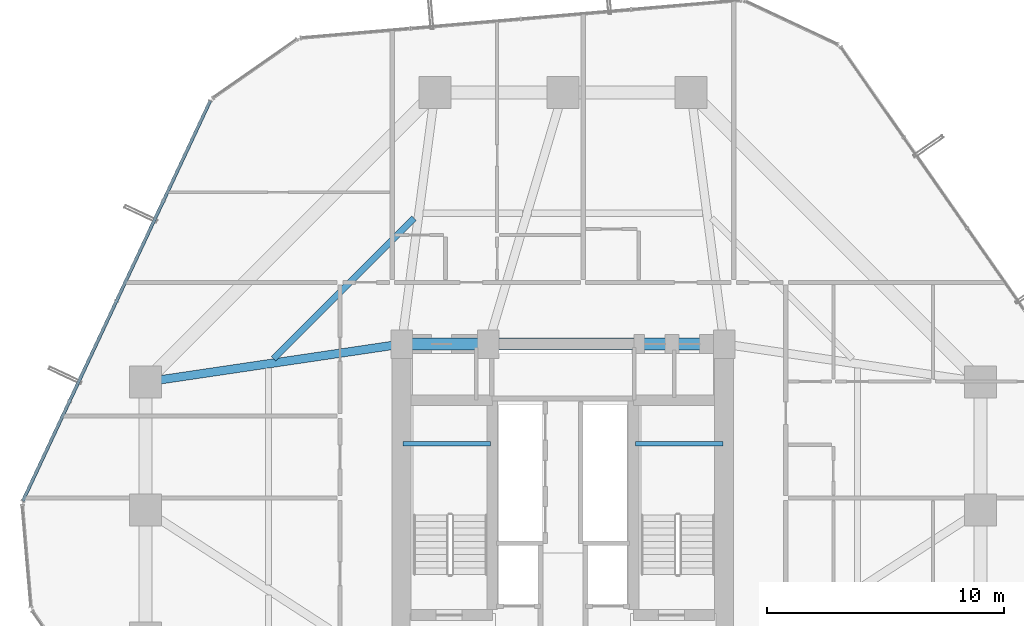
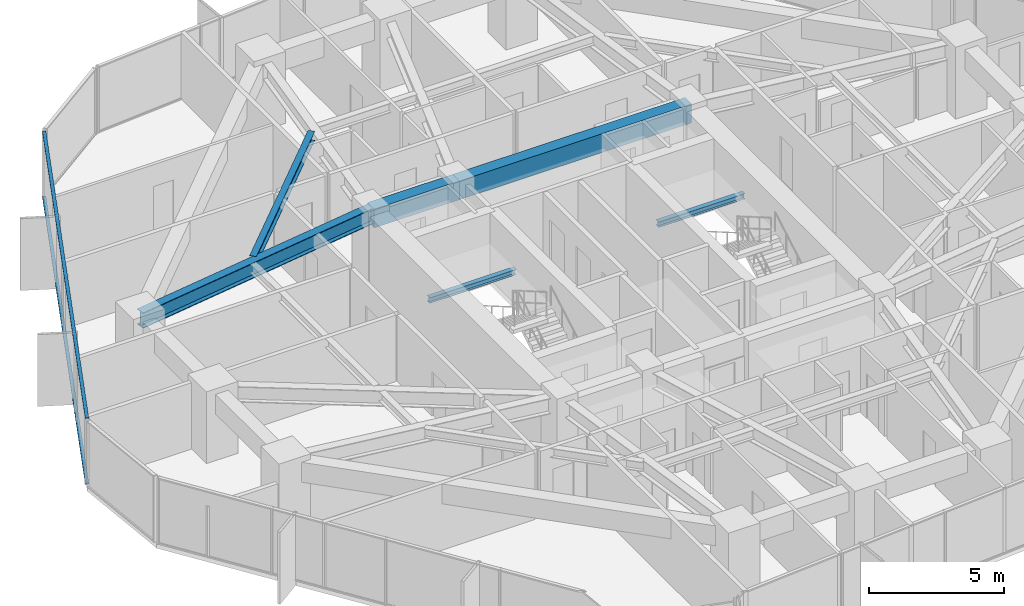
# One storey, part 13 of 37: 6 beams, 2 members, 1 element without a shape of its own.
"""IFC4 building model written with IfcOpenShell, lengths in metres."""

from ifc_helpers import new_model, si_unit, direction, frame, origin, origin_2d, place, context, subcontext, project, spatial, rectangle, hollow_rectangle, i_section, extrude, source, transform, mapped, material, layer, layer_set, material_profile, profile_set, type_object, element, aggregate, save


model = new_model("IFC4")

# Units and contexts
model_context = context("Model", 3, precision=1e-05, world=origin(), true_north=direction((0.0, 1.0)))
body_context = subcontext(model_context, "Body", "Model", "MODEL_VIEW")
ifc_project = project(units=[si_unit("LENGTHUNIT", "METRE"), si_unit("AREAUNIT", "SQUARE_METRE"), si_unit("VOLUMEUNIT", "CUBIC_METRE"), si_unit("PLANEANGLEUNIT", "RADIAN"), si_unit("MASSUNIT", "GRAM", prefix="KILO")], contexts=[model_context])

# Site, building, storey
site_placement = place(None, origin())
site = spatial("IfcSite", under=ifc_project, at=site_placement, CompositionType="ELEMENT")
building_placement = place(site_placement, origin())
building = spatial("IfcBuilding", under=site, at=building_placement, Name="Veraguas Prism Commons", CompositionType="ELEMENT")
storey_placement = place(building_placement, frame((0.0, 0.0, 40.300048828125)))
storey = spatial("IfcBuildingStorey", under=building, at=storey_placement, Name="L10", CompositionType="ELEMENT", Elevation=40.300048828125)

# Beams
ifc_material_1 = material(Name="Concrete C50/60", Category="concrete")
ifc_material_profile_1 = material_profile(ifc_material_1, rectangle(XDim=0.5, YDim=0.85009765625, at=origin_2d()), Name="RC500X850")
ifc_profile_set_1 = profile_set([ifc_material_profile_1], Name="Concrete C50/60")
beam_type_1 = type_object("IfcBeamType", Name="Core Coupling Beam RC 500x850", PredefinedType="BEAM", material=ifc_profile_set_1)
beam_1_placement = place(storey_placement, frame((17.199951171875, 31.0, 2.574951171875), z_axis=(1.0, 0.0, 0.0), x_axis=(0.0, 1.0, 0.0)))
element("IfcBeam", 1, at=beam_1_placement, inside=storey, type_object=beam_type_1, Name="Core Coupling Beam L10-CRN1", PredefinedType="BEAM", context=body_context, shape_type="SweptSolid", body=[
    extrude(rectangle(XDim=0.5, YDim=0.85009765625, at=origin_2d()), origin(), (0.0, 0.0, 1.0), 3.650146484375),
])
beam_2_placement = place(storey_placement, frame((20.85009765625, 31.0, 2.574951171875), z_axis=(1.0, 0.0, 0.0), x_axis=(0.0, 1.0, 0.0)))
element("IfcBeam", 2, at=beam_2_placement, inside=storey, type_object=beam_type_1, Name="Core Coupling Beam L10-CRN2", PredefinedType="BEAM", context=body_context, shape_type="SweptSolid", body=[
    extrude(rectangle(XDim=0.5, YDim=0.85009765625, at=origin_2d()), origin(), (0.0, 0.0, 1.0), 9.949951171875),
])
ifc_material_2 = material(Name="Steel ASTM A992 Grade 50", Category="steel")
ifc_material_profile_2 = material_profile(ifc_material_2, i_section(OverallWidth=0.260986328125, OverallDepth=0.419921875, WebThickness=0.01171875, FlangeThickness=0.019287109375, at=origin_2d()), Name="W410X114")
ifc_profile_set_2 = profile_set([ifc_material_profile_2], Name="Steel ASTM A992 Grade 50")
beam_type_2 = type_object("IfcBeamType", Name="Lower Floor Joist W410x114", PredefinedType="JOIST", material=ifc_profile_set_2)
beam_3_placement = place(storey_placement, frame((17.723388671875, 36.3076171875, 2.7900390625), z_axis=(-0.707092226423, -0.70712133565, 0.0), x_axis=(0.70712133565, -0.707092226423, 0.0)))
element("IfcBeam", 3, at=beam_3_placement, inside=storey, type_object=beam_type_2, Name="Composite Floor Joist L10-JS06", PredefinedType="JOIST", context=body_context, shape_type="SweptSolid", body=[
    extrude(i_section(OverallWidth=0.260986328125, OverallDepth=0.419921875, WebThickness=0.01171875, FlangeThickness=0.019287109375, at=origin_2d()), origin(), (0.0, 0.0, 1.0), 8.386962890625),
])
ifc_material_profile_3 = material_profile(ifc_material_2, i_section(OverallWidth=0.202880859375, OverallDepth=0.251953125, WebThickness=0.008056640625, FlangeThickness=0.013427734375, at=origin_2d()), Name="W250X58")
ifc_profile_set_3 = profile_set([ifc_material_profile_3], Name="Steel ASTM A992 Grade 50")
beam_type_3 = type_object("IfcBeamType", Name="Structural Opening Lintel W250x58", PredefinedType="LINTEL", material=ifc_profile_set_3)
for number, where, z_axis, x_axis, name in (
    (4, (17.25, 26.800048828125, 1.299072265625), (1.0, 0.0, 0.0), (0.0, 1.0, 0.0), "Stair ST-01 Half-Landing Support Beam L10-1"),
    (5, (27.050048828125, 26.800048828125, 1.299072265625), (1.0, 0.0, 0.0), (0.0, 1.0, 0.0), "Stair ST-02 Half-Landing Support Beam L10-1"),
):
    element("IfcBeam", number, at=place(storey_placement, frame(where, z_axis=z_axis, x_axis=x_axis)), inside=storey, type_object=beam_type_3, Name=name, PredefinedType="LINTEL", context=body_context, shape_type="SweptSolid", body=[
        extrude(i_section(OverallWidth=0.202880859375, OverallDepth=0.251953125, WebThickness=0.008056640625, FlangeThickness=0.013427734375, at=origin_2d()), origin(), (0.0, 0.0, 1.0), 3.699951171875),
    ])
ifc_material_profile_4 = material_profile(ifc_material_2, i_section(OverallWidth=0.35595703125, OverallDepth=0.700927734375, WebThickness=0.016845703125, FlangeThickness=0.02734375, at=origin_2d()), Name="W690X240")
ifc_profile_set_4 = profile_set([ifc_material_profile_4], Name="Steel ASTM A992 Grade 50")
beam_type_4 = type_object("IfcBeamType", Name="Zone 1 Radial Girder W690x240", PredefinedType="BEAM", material=ifc_profile_set_4)
beam_4_placement = place(storey_placement, frame((6.39990234375, 29.39990234375, 2.6494140625), z_axis=(0.989202261707, 0.146556765224, 0.0), x_axis=(-0.146556765224, 0.989202261707, 0.0)))
element("IfcBeam", 6, at=beam_4_placement, inside=storey, type_object=beam_type_4, Name="Radial Floor Girder L10-RD07", PredefinedType="BEAM", context=body_context, shape_type="SweptSolid", body=[
    extrude(i_section(OverallWidth=0.35595703125, OverallDepth=0.700927734375, WebThickness=0.016845703125, FlangeThickness=0.02734375, at=origin_2d()), origin(), (0.0, 0.0, 1.0), 10.91796875),
])

# Curtain wall, members
ifc_material_3 = material(Name="Anodised aluminium EN AW-6063 T6", Category="aluminium")
ifc_layer = layer(ifc_material_3, 0.169921875, Name="Unitised Flush Curtain Wall Zone 1", Category="aluminium")
ifc_layer_set = layer_set([ifc_layer], Name="Anodised aluminium EN AW-6063 T6")
curtain_wall_type = type_object("IfcCurtainWallType", Name="Unitised Flush Curtain Wall Zone 1", PredefinedType="NOTDEFINED", material=ifc_layer_set)
curtain_wall_placement = place(storey_placement, origin())
curtain_wall = element("IfcCurtainWall", 7, at=curtain_wall_placement, inside=storey, type_object=curtain_wall_type, Name="Tower Facade Curtain Wall L10-F3", PredefinedType="NOTDEFINED")
ifc_material_profile_5 = material_profile(ifc_material_3, hollow_rectangle(XDim=0.054931640625, YDim=0.135009765625, WallThickness=0.0029296875, at=origin_2d()), Name="AL55X135X3")
ifc_profile_set_5 = profile_set([ifc_material_profile_5], Name="Anodised aluminium EN AW-6063 T6")
member_type = type_object("IfcMemberType", Name="Curtain Wall Transom Standard AL 55x135x3", PredefinedType="USERDEFINED", material=ifc_profile_set_5)
shared_shape = source(origin(), body_context, "Body", "SweptSolid", [
    extrude(hollow_rectangle(XDim=0.054931640625, YDim=0.135009765625, WallThickness=0.0029296875, at=origin_2d()), origin(), (0.0, 0.0, 1.0), 18.623779296875),
])
member_1_placement = place(storey_placement, frame((9.128173828125, 41.24951171875, 0.02734375), z_axis=(-0.424194729421, -0.90557099751, 0.0), x_axis=(0.0, 0.0, 1.0)))
member_1 = element("IfcMember", 8, at=member_1_placement, type_object=member_type, Name="CW-Z1 Transom 1", ObjectType="TRANSOM", PredefinedType="USERDEFINED", context=body_context, shape_type="MappedRepresentation", body=[
    mapped(shared_shape, transform((0.0, 0.0, 0.0), scale=1.0)),
])
member_2_placement = place(storey_placement, frame((9.128173828125, 41.24951171875, 2.972412109375), z_axis=(-0.424194729421, -0.90557099751, 0.0), x_axis=(0.0, 0.0, 1.0)))
member_2 = element("IfcMember", 9, at=member_2_placement, type_object=member_type, Name="CW-Z1 Transom 2", ObjectType="TRANSOM", PredefinedType="USERDEFINED", context=body_context, shape_type="MappedRepresentation", body=[
    mapped(shared_shape, transform((0.0, 0.0, 0.0), scale=1.0)),
])
aggregate(curtain_wall, [member_1, member_2])

save(model, "model.ifc")
